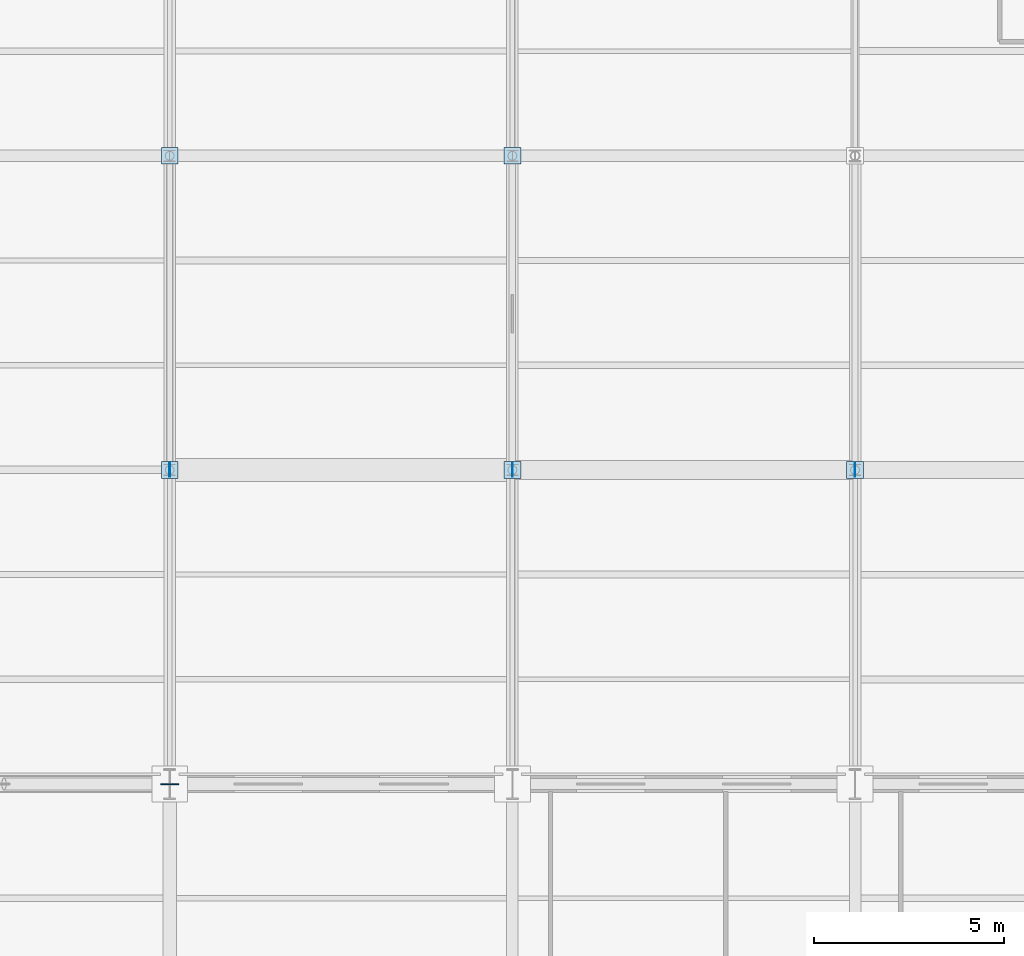
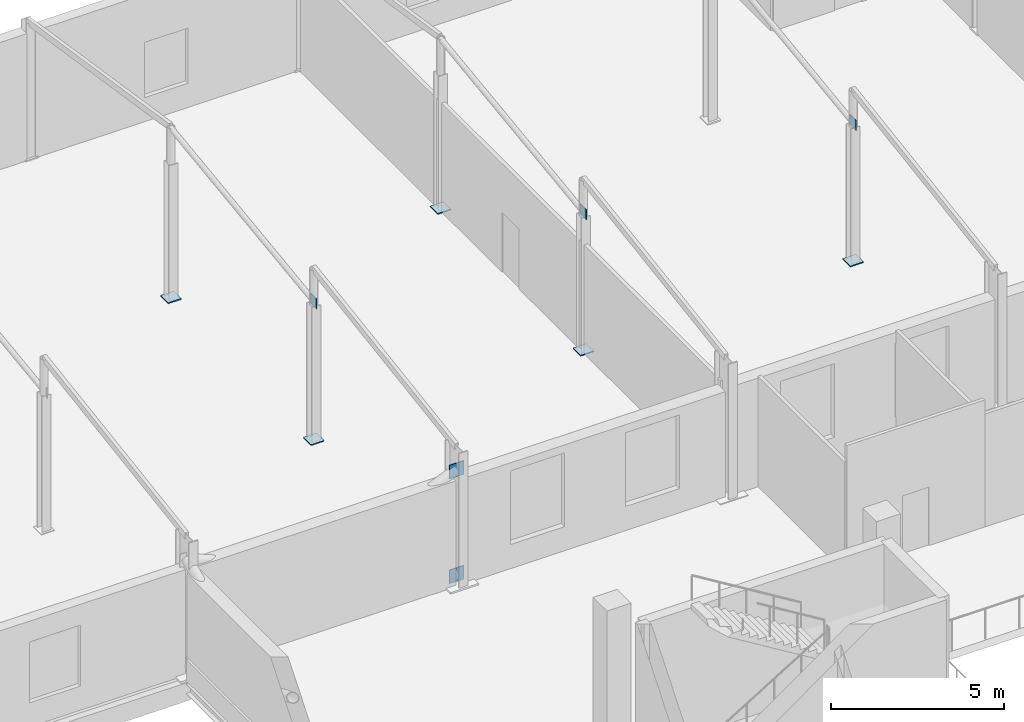
# One storey, part 28 of 54: 10 plates.
"""IFC4 building model written with IfcOpenShell, lengths in metres."""

from ifc_helpers import new_model, si_unit, direction, frame, origin, origin_2d, place, context, subcontext, project, spatial, rectangle, extrude, material, layer, layer_set, type_object, element, save


model = new_model("IFC4")

# Units and contexts
model_context = context("Model", 3, precision=1e-05, world=origin(), true_north=direction((0.0, 1.0)))
body_context = subcontext(model_context, "Body", "Model", "MODEL_VIEW")
ifc_project = project(units=[si_unit("LENGTHUNIT", "METRE"), si_unit("AREAUNIT", "SQUARE_METRE"), si_unit("VOLUMEUNIT", "CUBIC_METRE"), si_unit("PLANEANGLEUNIT", "RADIAN"), si_unit("MASSUNIT", "GRAM", prefix="KILO")], contexts=[model_context])

# Site, building, storey
site_placement = place(None, origin())
site = spatial("IfcSite", under=ifc_project, at=site_placement, CompositionType="ELEMENT")
building_placement = place(site_placement, origin())
building = spatial("IfcBuilding", under=site, at=building_placement, Name="Sundgate Opera House", CompositionType="ELEMENT")
storey_placement = place(building_placement, frame((0.0, 0.0, 16.800048828125)))
storey = spatial("IfcBuildingStorey", under=building, at=storey_placement, Name="L03", CompositionType="ELEMENT", Elevation=16.800048828125)

# Plates
ifc_material_1 = material(Name="Steel S355J2", Category="steel")
ifc_layer_1 = layer(ifc_material_1, 0.030029296875)
ifc_layer_set_1 = layer_set([ifc_layer_1], Name="Steel S355J2")
plate_type_1 = type_object("IfcPlateType", Name="PT-BAS-30", PredefinedType="USERDEFINED", material=ifc_layer_set_1)
plate_1_placement = place(storey_placement, frame((36.0, 95.25, 0.0), z_axis=(0.0, 0.0, 1.0), x_axis=(1.0, 0.0, 0.0)))
element("IfcPlate", 1, at=plate_1_placement, inside=storey, type_object=plate_type_1, Name="L03 Base Plate PT0059", ObjectType="BASE PLATE", PredefinedType="USERDEFINED", context=body_context, shape_type="SweptSolid", body=[
    extrude(rectangle(XDim=0.43994140625, YDim=0.43994140625, at=origin_2d()), origin(), (0.0, 0.0, 1.0), 0.030029296875),
])
ifc_material_2 = material(Name="Steel S355J2", Category="steel")
ifc_layer_2 = layer(ifc_material_2, 0.033935546875)
ifc_layer_set_2 = layer_set([ifc_layer_2], Name="Steel S355J2")
plate_type_2 = type_object("IfcPlateType", Name="PT-BAS-34", PredefinedType="USERDEFINED", material=ifc_layer_set_2)
plate_2_placement = place(storey_placement, frame((45.0, 95.25, 0.0), z_axis=(0.0, 0.0, 1.0), x_axis=(1.0, 0.0, 0.0)))
element("IfcPlate", 2, at=plate_2_placement, inside=storey, type_object=plate_type_2, Name="L03 Base Plate PT0077", ObjectType="BASE PLATE", PredefinedType="USERDEFINED", context=body_context, shape_type="SweptSolid", body=[
    extrude(rectangle(XDim=0.43994140625, YDim=0.43994140625, at=origin_2d()), origin(), (0.0, 0.0, 1.0), 0.033935546875),
])
ifc_material_3 = material(Name="Steel S355J2", Category="steel")
ifc_layer_3 = layer(ifc_material_3, 0.035888671875)
ifc_layer_set_3 = layer_set([ifc_layer_3], Name="Steel S355J2")
plate_type_3 = type_object("IfcPlateType", Name="PT-BAS-36", PredefinedType="USERDEFINED", material=ifc_layer_set_3)
for number, where, z_axis, x_axis, name in (
    (3, (36.0, 103.5, 0.0), (0.0, 0.0, 1.0), (1.0, 0.0, 0.0), "L03 Base Plate PT0060"),
    (4, (54.0, 95.25, 0.0), (0.0, 0.0, 1.0), (1.0, 0.0, 0.0), "L03 Base Plate PT0093"),
):
    element("IfcPlate", number, at=place(storey_placement, frame(where, z_axis=z_axis, x_axis=x_axis)), inside=storey, type_object=plate_type_3, Name=name, ObjectType="BASE PLATE", PredefinedType="USERDEFINED", context=body_context, shape_type="SweptSolid", body=[
        extrude(rectangle(XDim=0.43994140625, YDim=0.43994140625, at=origin_2d()), origin(), (0.0, 0.0, 1.0), 0.035888671875),
    ])
ifc_material_4 = material(Name="Steel S355J2", Category="steel")
ifc_layer_4 = layer(ifc_material_4, 0.0400390625)
ifc_layer_set_4 = layer_set([ifc_layer_4], Name="Steel S355J2")
plate_type_4 = type_object("IfcPlateType", Name="PT-BAS-40", PredefinedType="USERDEFINED", material=ifc_layer_set_4)
plate_3_placement = place(storey_placement, frame((45.0, 103.5, 0.0), z_axis=(0.0, 0.0, 1.0), x_axis=(1.0, 0.0, 0.0)))
element("IfcPlate", 5, at=plate_3_placement, inside=storey, type_object=plate_type_4, Name="L03 Base Plate PT0078", ObjectType="BASE PLATE", PredefinedType="USERDEFINED", context=body_context, shape_type="SweptSolid", body=[
    extrude(rectangle(XDim=0.43994140625, YDim=0.43994140625, at=origin_2d()), origin(), (0.0, 0.0, 1.0), 0.0400390625),
])
ifc_material_5 = material(Name="Steel S355J2", Category="steel")
ifc_layer_5 = layer(ifc_material_5, 0.02001953125)
ifc_layer_set_5 = layer_set([ifc_layer_5], Name="Steel S355J2")
plate_type_5 = type_object("IfcPlateType", Name="PT-GUS-20", PredefinedType="USERDEFINED", material=ifc_layer_set_5)
for number, where, z_axis, x_axis, name in (
    (6, (36.0, 95.25, 4.7197265625), (0.0, 0.0, 1.0), (1.0, 0.0, 0.0), "L03 Atelier Brace Base Gusset"),
    (7, (45.0, 95.25, 4.7197265625), (0.0, 0.0, 1.0), (1.0, 0.0, 0.0), "L03 Atelier Brace Base Gusset"),
    (8, (54.0, 95.25, 4.7197265625), (0.0, 0.0, 1.0), (1.0, 0.0, 0.0), "L03 Atelier Brace Base Gusset"),
):
    element("IfcPlate", number, at=place(storey_placement, frame(where, z_axis=z_axis, x_axis=x_axis)), inside=storey, type_object=plate_type_5, Name=name, ObjectType="GUSSET PLATE", PredefinedType="USERDEFINED", context=body_context, shape_type="SweptSolid", body=[
        extrude(rectangle(XDim=0.02001953125, YDim=0.360107421875, at=origin_2d()), origin(), (0.0, 0.0, 1.0), 0.360107421875),
    ])
ifc_material_6 = material(Name="Steel S355J2", Category="steel")
ifc_layer_6 = layer(ifc_material_6, 0.028076171875)
ifc_layer_set_6 = layer_set([ifc_layer_6], Name="Steel S355J2")
plate_type_6 = type_object("IfcPlateType", Name="PT-GUS-28", PredefinedType="USERDEFINED", material=ifc_layer_set_6)
for number, where, z_axis, x_axis, name in (
    (9, (36.0, 87.0, 3.7099609375), (0.0, 0.0, 1.0), (1.0, 0.0, 0.0), "L03 Belt-Truss End Gusset"),
    (10, (36.0, 87.0, 0.010009765625), (0.0, 0.0, 1.0), (1.0, 0.0, 0.0), "L03 Belt-Truss End Gusset"),
):
    element("IfcPlate", number, at=place(storey_placement, frame(where, z_axis=z_axis, x_axis=x_axis)), inside=storey, type_object=plate_type_6, Name=name, ObjectType="GUSSET PLATE", PredefinedType="USERDEFINED", context=body_context, shape_type="SweptSolid", body=[
        extrude(rectangle(XDim=0.47998046875, YDim=0.028076171875, at=origin_2d()), origin(), (0.0, 0.0, 1.0), 0.47998046875),
    ])

save(model, "model.ifc")
